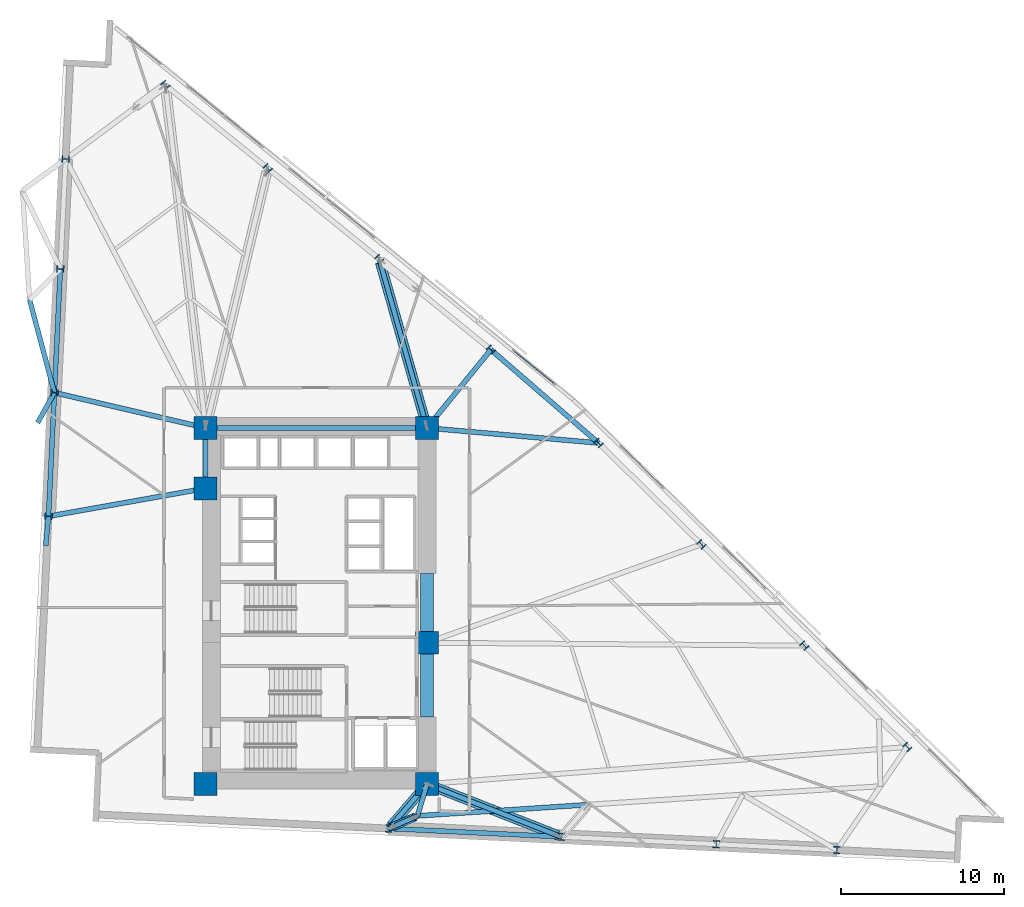
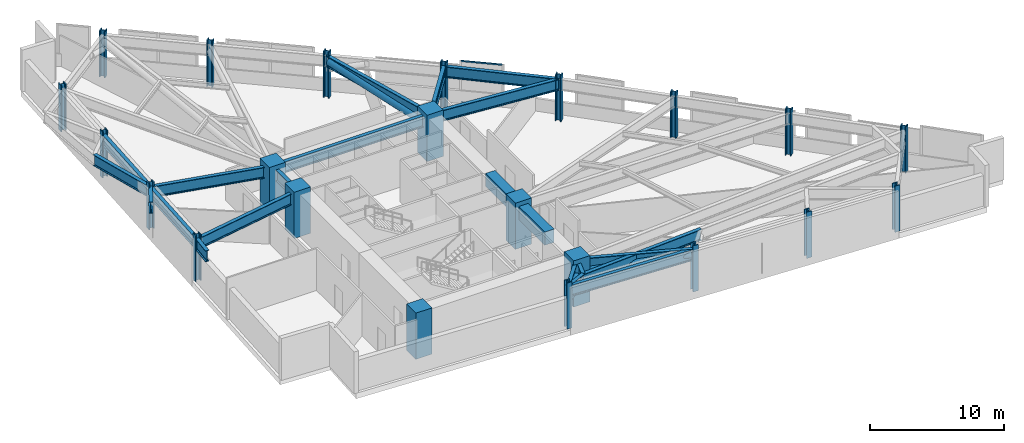
# One storey, part 1 of 18: 22 columns, 21 beams, 6 members, 1 element without a shape of its own.
"""IFC4 building model written with IfcOpenShell, lengths in metres."""

from ifc_helpers import new_model, si_unit, direction, frame, origin, origin_2d, place, context, subcontext, project, spatial, rectangle, hollow_rectangle, hollow_circle, i_section, extrude, material, material_profile, profile_set, type_object, element, aggregate, save


model = new_model("IFC4")

# Units and contexts
model_context = context("Model", 3, precision=1e-05, world=origin(), true_north=direction((0.0, 1.0)))
body_context = subcontext(model_context, "Body", "Model", "MODEL_VIEW")
ifc_project = project(units=[si_unit("LENGTHUNIT", "METRE"), si_unit("AREAUNIT", "SQUARE_METRE"), si_unit("VOLUMEUNIT", "CUBIC_METRE"), si_unit("PLANEANGLEUNIT", "RADIAN"), si_unit("MASSUNIT", "GRAM", prefix="KILO")], contexts=[model_context])

# Site, building, storey
site_placement = place(None, origin())
site = spatial("IfcSite", under=ifc_project, at=site_placement, CompositionType="ELEMENT")
building_placement = place(site_placement, origin())
building = spatial("IfcBuilding", under=site, at=building_placement, Name="Narakoshi Arena Tower", CompositionType="ELEMENT")
storey_placement = place(building_placement, frame((0.0, 0.0, 59.10009765625)))
storey = spatial("IfcBuildingStorey", under=building, at=storey_placement, Name="L15", CompositionType="ELEMENT", Elevation=59.10009765625)

# Columns
ifc_material_1 = material(Name="Concrete C60/75", Category="concrete")
ifc_material_profile_1 = material_profile(ifc_material_1, rectangle(XDim=1.39990234375, YDim=1.39990234375, at=origin_2d()), Name="RC1400x1400")
ifc_profile_set_1 = profile_set([ifc_material_profile_1], Name="Concrete C60/75")
column_type_1 = type_object("IfcColumnType", Name="COL-RC1400", PredefinedType="COLUMN", material=ifc_profile_set_1)
for number, where, z_axis, x_axis, name in (
    (1, (72.0, 34.699951171875, 0.0), (0.0, 0.0, 1.0), (1.0, 0.0, 0.0), "L15 Core Structural Column CC1"),
    (2, (85.550048828125, 34.699951171875, 0.0), (0.0, 0.0, 1.0), (1.0, 0.0, 0.0), "L15 Core Structural Column CC2"),
    (3, (85.550048828125, 43.35009765625, 0.0), (0.0, 0.0, 1.0), (1.0, 0.0, 0.0), "L15 Core Structural Column CC3"),
    (4, (72.0, 52.800048828125, 0.0), (0.0, 0.0, 1.0), (1.0, 0.0, 0.0), "L15 Core Structural Column CC4"),
    (5, (72.0, 56.5, 0.0), (0.0, 0.0, 1.0), (1.0, 0.0, 0.0), "L15 Core Structural Column CC5"),
    (6, (85.550048828125, 56.5, 0.0), (0.0, 0.0, 1.0), (1.0, 0.0, 0.0), "L15 Core Structural Column CC6"),
):
    element("IfcColumn", number, at=place(storey_placement, frame(where, z_axis=z_axis, x_axis=x_axis)), inside=storey, type_object=column_type_1, Name=name, PredefinedType="COLUMN", context=body_context, shape_type="SweptSolid", body=[
        extrude(rectangle(XDim=1.39990234375, YDim=1.39990234375, at=origin_2d()), origin(), (0.0, 0.0, 1.0), 4.199951171875),
    ])
ifc_material_2 = material(Name="Structural steel S460ML", Category="steel")
ifc_material_profile_2 = material_profile(ifc_material_2, i_section(OverallWidth=0.424072265625, OverallDepth=0.47412109375, WebThickness=0.047607421875, FlangeThickness=0.076904296875, FilletRadius=0.014892578125, at=origin_2d()), Name="HD400x634")
ifc_profile_set_2 = profile_set([ifc_material_profile_2], Name="Structural steel S460ML")
column_type_2 = type_object("IfcColumnType", Name="COL-STL634", PredefinedType="COLUMN", material=ifc_profile_set_2)
for number, where, z_axis, x_axis, name in (
    (7, (83.2119140625, 31.979248046875, 0.0), (0.0, 0.0, 1.0), (-0.998848386485, 0.047978128521, 0.0), "L15 Tower Perimeter Column TC01"),
    (8, (93.760009765625, 31.472412109375, 0.0), (0.0, 0.0, 1.0), (-0.998848386485, 0.047978128521, 0.0), "L15 Tower Perimeter Column TC02"),
    (9, (103.2529296875, 31.0166015625, 0.0), (0.0, 0.0, 1.0), (-0.998848386485, 0.047978128521, 0.0), "L15 Tower Perimeter Column TC03"),
    (10, (110.636474609375, 30.661865234375, 0.0), (0.0, 0.0, 1.0), (-0.998848386485, 0.047978128521, 0.0), "L15 Tower Perimeter Column TC04"),
    (11, (114.942138671875, 36.969970703125, 0.0), (0.0, 0.0, 1.0), (0.740218127487, 0.672366807435, 0.0), "L15 Tower Perimeter Column TC05"),
    (12, (108.643798828125, 43.171875, 0.0), (0.0, 0.0, 1.0), (0.740218127487, 0.672366807435, 0.0), "L15 Tower Perimeter Column TC06"),
    (13, (102.345458984375, 49.373779296875, 0.0), (0.0, 0.0, 1.0), (0.740218127487, 0.672366807435, 0.0), "L15 Tower Perimeter Column TC07"),
    (14, (96.047119140625, 55.57568359375, 0.0), (0.0, 0.0, 1.0), (0.740218127487, 0.672366807435, 0.0), "L15 Tower Perimeter Column TC08"),
    (15, (89.459716796875, 61.28515625, 0.0), (0.0, 0.0, 1.0), (0.740218127487, 0.672366807435, 0.0), "L15 Tower Perimeter Column TC09"),
    (16, (82.626953125, 66.838623046875, 0.0), (0.0, 0.0, 1.0), (0.740218127487, 0.672366807435, 0.0), "L15 Tower Perimeter Column TC10"),
    (17, (75.794189453125, 72.392333984375, 0.0), (0.0, 0.0, 1.0), (0.740218127487, 0.672366807435, 0.0), "L15 Tower Perimeter Column TC11"),
    (18, (69.531005859375, 77.483154296875, 0.0), (0.0, 0.0, 1.0), (0.740218127487, 0.672366807435, 0.0), "L15 Tower Perimeter Column TC12"),
    (19, (63.42822265625, 72.95654296875, 0.0), (0.0, 0.0, 1.0), (0.047978128521, 0.998848386485, 0.0), "L15 Tower Perimeter Column TC13"),
    (20, (63.10498046875, 66.228271484375, 0.0), (0.0, 0.0, 1.0), (0.047978128521, 0.998848386485, 0.0), "L15 Tower Perimeter Column TC14"),
    (21, (62.74169921875, 58.658935546875, 0.0), (0.0, 0.0, 1.0), (0.047978128521, 0.998848386485, 0.0), "L15 Tower Perimeter Column TC15"),
    (22, (62.3779296875, 51.08984375, 0.0), (0.0, 0.0, 1.0), (0.047978128521, 0.998848386485, 0.0), "L15 Tower Perimeter Column TC16"),
):
    element("IfcColumn", number, at=place(storey_placement, frame(where, z_axis=z_axis, x_axis=x_axis)), inside=storey, type_object=column_type_2, Name=name, PredefinedType="COLUMN", context=body_context, shape_type="SweptSolid", body=[
        extrude(i_section(OverallWidth=0.424072265625, OverallDepth=0.47412109375, WebThickness=0.047607421875, FlangeThickness=0.076904296875, FilletRadius=0.014892578125, at=origin_2d()), origin(), (0.0, 0.0, 1.0), 4.199951171875),
    ])

# Beams
ifc_material_profile_3 = material_profile(ifc_material_1, rectangle(XDim=0.800048828125, YDim=1.199951171875, at=origin_2d()), Name="RCB800x1200")
ifc_profile_set_3 = profile_set([ifc_material_profile_3], Name="Concrete C60/75")
beam_type_1 = type_object("IfcBeamType", Name="BM-CPL-1200", PredefinedType="LINTEL", material=ifc_profile_set_3)
beam_1_placement = place(storey_placement, frame((85.550048828125, 38.800048828125, 3.199951171875), z_axis=(0.0, 1.0, 0.0), x_axis=(-1.0, 0.0, 0.0)))
element("IfcBeam", 23, at=beam_1_placement, inside=storey, type_object=beam_type_1, Name="L15 Core Seismic Coupling Beam 1", PredefinedType="LINTEL", context=body_context, shape_type="SweptSolid", body=[
    extrude(rectangle(XDim=0.800048828125, YDim=1.199951171875, at=origin_2d()), origin(), (0.0, 0.0, 1.0), 4.550048828125),
])
beam_2_placement = place(storey_placement, frame((85.550048828125, 43.35009765625, 3.199951171875), z_axis=(0.0, 1.0, 0.0), x_axis=(-1.0, 0.0, 0.0)))
element("IfcBeam", 24, at=beam_2_placement, inside=storey, type_object=beam_type_1, Name="L15 Core Seismic Coupling Beam 2", PredefinedType="LINTEL", context=body_context, shape_type="SweptSolid", body=[
    extrude(rectangle(XDim=0.800048828125, YDim=1.199951171875, at=origin_2d()), origin(), (0.0, 0.0, 1.0), 4.25),
])
ifc_material_profile_4 = material_profile(ifc_material_2, i_section(OverallWidth=0.302001953125, OverallDepth=1.008056640625, WebThickness=0.02099609375, FlangeThickness=0.0400390625, FilletRadius=0.030029296875, at=origin_2d()), Name="HE1000M")
ifc_profile_set_4 = profile_set([ifc_material_profile_4], Name="Structural steel S460ML")
beam_type_2 = type_object("IfcBeamType", Name="BM-XFER-1000", PredefinedType="BEAM", material=ifc_profile_set_4)
beam_3_placement = place(storey_placement, frame((83.2119140625, 31.979248046875, 3.2958984375), z_axis=(0.998847594152, -0.047994621119, 0.0), x_axis=(0.047994621119, 0.998847594152, 0.0)))
element("IfcBeam", 25, at=beam_3_placement, inside=storey, type_object=beam_type_2, Name="L15 Perimeter Transfer Ring Girder 01", PredefinedType="BEAM", context=body_context, shape_type="SweptSolid", body=[
    extrude(i_section(OverallWidth=0.302001953125, OverallDepth=1.008056640625, WebThickness=0.02099609375, FlangeThickness=0.0400390625, FilletRadius=0.030029296875, at=origin_2d()), origin(), (0.0, 0.0, 1.0), 10.560302734375),
])
beam_4_placement = place(storey_placement, frame((96.047119140625, 55.57568359375, 3.2958984375), z_axis=(-0.755666904752, 0.654956127586, 0.0), x_axis=(-0.654956127586, -0.755666904752, 0.0)))
element("IfcBeam", 26, at=beam_4_placement, inside=storey, type_object=beam_type_2, Name="L15 Perimeter Transfer Ring Girder 08", PredefinedType="BEAM", context=body_context, shape_type="SweptSolid", body=[
    extrude(i_section(OverallWidth=0.302001953125, OverallDepth=1.008056640625, WebThickness=0.02099609375, FlangeThickness=0.0400390625, FilletRadius=0.030029296875, at=origin_2d()), origin(), (0.0, 0.0, 1.0), 8.71728515625),
])
beam_5_placement = place(storey_placement, frame((63.10498046875, 66.228271484375, 3.2958984375), z_axis=(-0.047938627957, -0.99885028305, 0.0), x_axis=(0.99885028305, -0.047938627957, 0.0)))
element("IfcBeam", 27, at=beam_5_placement, inside=storey, type_object=beam_type_2, Name="L15 Perimeter Transfer Ring Girder 14", PredefinedType="BEAM", context=body_context, shape_type="SweptSolid", body=[
    extrude(i_section(OverallWidth=0.302001953125, OverallDepth=1.008056640625, WebThickness=0.02099609375, FlangeThickness=0.0400390625, FilletRadius=0.030029296875, at=origin_2d()), origin(), (0.0, 0.0, 1.0), 7.578125),
])
beam_6_placement = place(storey_placement, frame((62.74169921875, 58.658935546875, 3.2958984375), z_axis=(-0.048004457986, -0.998847121442, 0.0), x_axis=(0.998847121442, -0.048004457986, 0.0)))
element("IfcBeam", 28, at=beam_6_placement, inside=storey, type_object=beam_type_2, Name="L15 Perimeter Transfer Ring Girder 15", PredefinedType="BEAM", context=body_context, shape_type="SweptSolid", body=[
    extrude(i_section(OverallWidth=0.302001953125, OverallDepth=1.008056640625, WebThickness=0.02099609375, FlangeThickness=0.0400390625, FilletRadius=0.030029296875, at=origin_2d()), origin(), (0.0, 0.0, 1.0), 7.577880859375),
])
beam_7_placement = place(storey_placement, frame((85.550048828125, 34.699951171875, 3.2958984375), z_axis=(-0.651771636497, -0.75841527797, 0.0), x_axis=(0.75841527797, -0.651771636497, 0.0)))
element("IfcBeam", 29, at=beam_7_placement, inside=storey, type_object=beam_type_2, Name="L15 Lower Transfer Radial Girder 01", PredefinedType="BEAM", context=body_context, shape_type="SweptSolid", body=[
    extrude(i_section(OverallWidth=0.302001953125, OverallDepth=1.008056640625, WebThickness=0.02099609375, FlangeThickness=0.0400390625, FilletRadius=0.030029296875, at=origin_2d()), origin(), (0.0, 0.0, 1.0), 3.58740234375),
])
beam_8_placement = place(storey_placement, frame((85.550048828125, 34.699951171875, 3.2958984375), z_axis=(0.930666699288, -0.365868138592, 0.0), x_axis=(0.365868138592, 0.930666699288, 0.0)))
element("IfcBeam", 30, at=beam_8_placement, inside=storey, type_object=beam_type_2, Name="L15 Lower Transfer Radial Girder 02", PredefinedType="BEAM", context=body_context, shape_type="SweptSolid", body=[
    extrude(i_section(OverallWidth=0.302001953125, OverallDepth=1.008056640625, WebThickness=0.02099609375, FlangeThickness=0.0400390625, FilletRadius=0.030029296875, at=origin_2d()), origin(), (0.0, 0.0, 1.0), 8.821533203125),
])
beam_9_placement = place(storey_placement, frame((85.550048828125, 56.5, 3.2958984375), z_axis=(0.996145584519, -0.087715303354, 0.0), x_axis=(0.087715303354, 0.996145584519, 0.0)))
element("IfcBeam", 31, at=beam_9_placement, inside=storey, type_object=beam_type_2, Name="L15 Lower Transfer Radial Girder 08", PredefinedType="BEAM", context=body_context, shape_type="SweptSolid", body=[
    extrude(i_section(OverallWidth=0.302001953125, OverallDepth=1.008056640625, WebThickness=0.02099609375, FlangeThickness=0.0400390625, FilletRadius=0.030029296875, at=origin_2d()), origin(), (0.0, 0.0, 1.0), 10.53759765625),
])
beam_10_placement = place(storey_placement, frame((85.550048828125, 56.5, 3.2958984375), z_axis=(0.632708368655, 0.774390160212, 0.0), x_axis=(-0.774390160212, 0.632708368655, 0.0)))
element("IfcBeam", 32, at=beam_10_placement, inside=storey, type_object=beam_type_2, Name="L15 Lower Transfer Radial Girder 09", PredefinedType="BEAM", context=body_context, shape_type="SweptSolid", body=[
    extrude(i_section(OverallWidth=0.302001953125, OverallDepth=1.008056640625, WebThickness=0.02099609375, FlangeThickness=0.0400390625, FilletRadius=0.030029296875, at=origin_2d()), origin(), (0.0, 0.0, 1.0), 6.17919921875),
])
beam_11_placement = place(storey_placement, frame((85.550048828125, 56.5, 3.2958984375), z_axis=(-0.272069994974, 0.962277464058, 0.0), x_axis=(-0.962277464058, -0.272069994974, 0.0)))
element("IfcBeam", 33, at=beam_11_placement, inside=storey, type_object=beam_type_2, Name="L15 Lower Transfer Radial Girder 10", PredefinedType="BEAM", context=body_context, shape_type="SweptSolid", body=[
    extrude(i_section(OverallWidth=0.302001953125, OverallDepth=1.008056640625, WebThickness=0.02099609375, FlangeThickness=0.0400390625, FilletRadius=0.030029296875, at=origin_2d()), origin(), (0.0, 0.0, 1.0), 10.743896484375),
])
beam_12_placement = place(storey_placement, frame((72.0, 56.5, 3.2958984375), z_axis=(-0.973872266719, 0.227096473145, 0.0), x_axis=(-0.227096473145, -0.973872266719, 0.0)))
element("IfcBeam", 34, at=beam_12_placement, inside=storey, type_object=beam_type_2, Name="L15 Lower Transfer Radial Girder 15", PredefinedType="BEAM", context=body_context, shape_type="SweptSolid", body=[
    extrude(i_section(OverallWidth=0.302001953125, OverallDepth=1.008056640625, WebThickness=0.02099609375, FlangeThickness=0.0400390625, FilletRadius=0.030029296875, at=origin_2d()), origin(), (0.0, 0.0, 1.0), 9.506591796875),
])
beam_13_placement = place(storey_placement, frame((72.0, 52.800048828125, 3.2958984375), z_axis=(-0.984569299514, -0.174995126944, 0.0), x_axis=(0.174995126944, -0.984569299514, 0.0)))
element("IfcBeam", 35, at=beam_13_placement, inside=storey, type_object=beam_type_2, Name="L15 Lower Transfer Radial Girder 16", PredefinedType="BEAM", context=body_context, shape_type="SweptSolid", body=[
    extrude(i_section(OverallWidth=0.302001953125, OverallDepth=1.008056640625, WebThickness=0.02099609375, FlangeThickness=0.0400390625, FilletRadius=0.030029296875, at=origin_2d()), origin(), (0.0, 0.0, 1.0), 9.77294921875),
])
beam_14_placement = place(storey_placement, frame((83.2119140625, 31.979248046875, 3.2958984375), z_axis=(0.914564462799, 0.404440160451, 0.0), x_axis=(-0.404440160451, 0.914564462799, 0.0)))
element("IfcBeam", 36, at=beam_14_placement, inside=storey, type_object=beam_type_2, Name="L15 Block-Turn Transfer Node Girder 01-1", PredefinedType="BEAM", context=body_context, shape_type="SweptSolid", body=[
    extrude(i_section(OverallWidth=0.302001953125, OverallDepth=1.008056640625, WebThickness=0.02099609375, FlangeThickness=0.0400390625, FilletRadius=0.030029296875, at=origin_2d()), origin(), (0.0, 0.0, 1.0), 1.908203125),
])
beam_15_placement = place(storey_placement, frame((85.550048828125, 34.699951171875, 3.2958984375), z_axis=(-0.291094852197, -0.956694197236, 0.0), x_axis=(0.956694197236, -0.291094852197, 0.0)))
element("IfcBeam", 37, at=beam_15_placement, inside=storey, type_object=beam_type_2, Name="L15 Block-Turn Transfer Node Girder 01-2", PredefinedType="BEAM", context=body_context, shape_type="SweptSolid", body=[
    extrude(i_section(OverallWidth=0.302001953125, OverallDepth=1.008056640625, WebThickness=0.02099609375, FlangeThickness=0.0400390625, FilletRadius=0.030029296875, at=origin_2d()), origin(), (0.0, 0.0, 1.0), 2.037109375),
])
beam_16_placement = place(storey_placement, frame((62.74169921875, 58.658935546875, 3.2958984375), z_axis=(-0.257990656259, 0.966147411777, 0.0), x_axis=(-0.966147411777, -0.257990656259, 0.0)))
element("IfcBeam", 38, at=beam_16_placement, inside=storey, type_object=beam_type_2, Name="L15 Block-Turn Transfer Node Girder 13-2", PredefinedType="BEAM", context=body_context, shape_type="SweptSolid", body=[
    extrude(i_section(OverallWidth=0.302001953125, OverallDepth=1.008056640625, WebThickness=0.02099609375, FlangeThickness=0.0400390625, FilletRadius=0.030029296875, at=origin_2d()), origin(), (0.0, 0.0, 1.0), 5.88330078125),
])
beam_17_placement = place(storey_placement, frame((62.74169921875, 58.658935546875, 3.2958984375), z_axis=(-0.486646551536, -0.873598954829, 0.0), x_axis=(0.873598954829, -0.486646551536, 0.0)))
element("IfcBeam", 39, at=beam_17_placement, inside=storey, type_object=beam_type_2, Name="L15 Block-Turn Transfer Node Girder 14-1", PredefinedType="BEAM", context=body_context, shape_type="SweptSolid", body=[
    extrude(i_section(OverallWidth=0.302001953125, OverallDepth=1.008056640625, WebThickness=0.02099609375, FlangeThickness=0.0400390625, FilletRadius=0.030029296875, at=origin_2d()), origin(), (0.0, 0.0, 1.0), 2.10595703125),
])
beam_18_placement = place(storey_placement, frame((62.3779296875, 51.08984375, 3.2958984375), z_axis=(-0.093038647467, -0.995662498077, 0.0), x_axis=(0.995662498077, -0.093038647467, 0.0)))
element("IfcBeam", 40, at=beam_18_placement, inside=storey, type_object=beam_type_2, Name="L15 Block-Turn Transfer Node Girder 15-1", PredefinedType="BEAM", context=body_context, shape_type="SweptSolid", body=[
    extrude(i_section(OverallWidth=0.302001953125, OverallDepth=1.008056640625, WebThickness=0.02099609375, FlangeThickness=0.0400390625, FilletRadius=0.030029296875, at=origin_2d()), origin(), (0.0, 0.0, 1.0), 1.802734375),
])
beam_19_placement = place(storey_placement, frame((84.95703125, 32.7509765625, 3.2958984375), z_axis=(0.997860180992, 0.065383936788, 0.0), x_axis=(-0.065383936788, 0.997860180992, 0.0)))
element("IfcBeam", 41, at=beam_19_placement, inside=storey, type_object=beam_type_2, Name="L15 Upper-Block Transfer Ring Girder 01", PredefinedType="BEAM", context=body_context, shape_type="SweptSolid", body=[
    extrude(i_section(OverallWidth=0.302001953125, OverallDepth=1.008056640625, WebThickness=0.02099609375, FlangeThickness=0.0400390625, FilletRadius=0.030029296875, at=origin_2d()), origin(), (0.0, 0.0, 1.0), 10.50732421875),
])
beam_20_placement = place(storey_placement, frame((72.0, 52.800048828125, 3.2958984375), z_axis=(0.0, 1.0, 0.0), x_axis=(-1.0, 0.0, 0.0)))
element("IfcBeam", 42, at=beam_20_placement, inside=storey, type_object=beam_type_2, Name="L15 Core Perimeter Frame Beam CC4-CC5", PredefinedType="BEAM", context=body_context, shape_type="SweptSolid", body=[
    extrude(i_section(OverallWidth=0.302001953125, OverallDepth=1.008056640625, WebThickness=0.02099609375, FlangeThickness=0.0400390625, FilletRadius=0.030029296875, at=origin_2d()), origin(), (0.0, 0.0, 1.0), 3.699951171875),
])
beam_21_placement = place(storey_placement, frame((72.0, 56.5, 3.2958984375), z_axis=(1.0, 0.0, 0.0), x_axis=(0.0, 1.0, 0.0)))
element("IfcBeam", 43, at=beam_21_placement, inside=storey, type_object=beam_type_2, Name="L15 Core Perimeter Frame Beam CC5-CC6", PredefinedType="BEAM", context=body_context, shape_type="SweptSolid", body=[
    extrude(i_section(OverallWidth=0.302001953125, OverallDepth=1.008056640625, WebThickness=0.02099609375, FlangeThickness=0.0400390625, FilletRadius=0.030029296875, at=origin_2d()), origin(), (0.0, 0.0, 1.0), 13.550048828125),
])

# Members
ifc_material_profile_5 = material_profile(ifc_material_2, hollow_circle(Radius=0.25390625, WallThickness=0.02001953125, at=origin_2d()), Name="CHS508x20")
ifc_profile_set_5 = profile_set([ifc_material_profile_5], Name="Structural steel S460ML")
member_type_1 = type_object("IfcMemberType", Name="MEM-BLT-508", PredefinedType="BRACE", material=ifc_profile_set_5)
member_1_placement = place(storey_placement, frame((83.376708984375, 32.052001953125, 2.5498046875), z_axis=(0.823887568403, 0.364277931606, 0.434178377141), x_axis=(-0.404381712165, 0.914590307661, 0.0)))
element("IfcMember", 44, at=member_1_placement, inside=storey, type_object=member_type_1, Name="L15 Perimeter Belt-Truss Diagonal 01", PredefinedType="BRACE", context=body_context, shape_type="SweptSolid", body=[
    extrude(hollow_circle(Radius=0.25390625, WallThickness=0.02001953125, at=origin_2d()), origin(), (0.0, 0.0, 1.0), 1.718505859375),
])
ifc_material_profile_6 = material_profile(ifc_material_2, hollow_circle(Radius=0.304931640625, WallThickness=0.02490234375, at=origin_2d()), Name="CHS610x25")
ifc_profile_set_6 = profile_set([ifc_material_profile_6], Name="Structural steel S460ML")
member_type_2 = type_object("IfcMemberType", Name="MEM-OUT-610", PredefinedType="BRACE", material=ifc_profile_set_6)
member_2_placement = place(storey_placement, frame((85.4521484375, 34.586181640625, 2.599853515625), z_axis=(-0.636966559953, -0.741322865246, 0.21145687732), x_axis=(0.758473988735, -0.651703313182, 0.0)))
element("IfcMember", 45, at=member_2_placement, inside=storey, type_object=member_type_2, Name="L15 Core-to-Perimeter Outrigger Truss Diagonal 01", PredefinedType="BRACE", context=body_context, shape_type="SweptSolid", body=[
    extrude(hollow_circle(Radius=0.304931640625, WallThickness=0.02490234375, at=origin_2d()), origin(), (0.0, 0.0, 1.0), 3.291748046875),
])
member_3_placement = place(storey_placement, frame((85.689697265625, 34.64501953125, 2.599853515625), z_axis=(0.927529306732, -0.364626087772, 0.082080456079), x_axis=(0.36586060887, 0.930669659373, 0.0)))
element("IfcMember", 46, at=member_3_placement, inside=storey, type_object=member_type_2, Name="L15 Core-to-Perimeter Outrigger Truss Diagonal 02", PredefinedType="BRACE", context=body_context, shape_type="SweptSolid", body=[
    extrude(hollow_circle(Radius=0.304931640625, WallThickness=0.02490234375, at=origin_2d()), origin(), (0.0, 0.0, 1.0), 8.47998046875),
])
member_4_placement = place(storey_placement, frame((85.50927734375, 56.644287109375, 2.599853515625), z_axis=(-0.271442874264, 0.960123502231, 0.066944951084), x_axis=(-0.96228221832, -0.272053179187, 0.0)))
element("IfcMember", 47, at=member_4_placement, inside=storey, type_object=member_type_2, Name="L15 Core-to-Perimeter Outrigger Truss Diagonal 03", PredefinedType="BRACE", context=body_context, shape_type="SweptSolid", body=[
    extrude(hollow_circle(Radius=0.304931640625, WallThickness=0.02490234375, at=origin_2d()), origin(), (0.0, 0.0, 1.0), 10.397216796875),
])

# Curtain wall, members
ifc_material_3 = material(Name="Anodised bronze aluminium 6063-T6", Category="aluminium")
curtain_wall_type = type_object("IfcCurtainWallType", Name="CW-HYP-LOW", PredefinedType="NOTDEFINED", material=ifc_material_3)
curtain_wall_placement = place(storey_placement, origin())
curtain_wall = element("IfcCurtainWall", 48, at=curtain_wall_placement, inside=storey, type_object=curtain_wall_type, Name="L15 Folded Hypotenuse Curtain Wall 2-1", PredefinedType="NOTDEFINED")
ifc_material_profile_7 = material_profile(ifc_material_3, hollow_rectangle(XDim=0.06494140625, YDim=0.1298828125, WallThickness=0.00390625, OuterFilletRadius=0.0048828125, at=origin_2d()), Name="TRN130x65x4")
ifc_profile_set_7 = profile_set([ifc_material_profile_7], Name="Anodised bronze aluminium 6063-T6")
member_type_3 = type_object("IfcMemberType", Name="MEM-TRN-130", PredefinedType="USERDEFINED", material=ifc_profile_set_7)
member_5_placement = place(storey_placement, frame((93.316162109375, 59.22021484375, 0.032470703125), z_axis=(-0.776004383513, 0.630727513883, 0.0), x_axis=(-0.630727513883, -0.776004383513, 0.0)))
member_5 = element("IfcMember", 49, at=member_5_placement, type_object=member_type_3, Name="CW-01 transom 1.1", ObjectType="TRANSOM", PredefinedType="USERDEFINED", context=body_context, shape_type="SweptSolid", body=[
    extrude(hollow_rectangle(XDim=0.06494140625, YDim=0.1298828125, WallThickness=0.00390625, OuterFilletRadius=0.0048828125, at=origin_2d()), origin(), (0.0, 0.0, 1.0), 3.13427734375),
])
member_6_placement = place(storey_placement, frame((93.316162109375, 59.22021484375, 3.767333984375), z_axis=(-0.776004383513, 0.630727513883, 0.0), x_axis=(-0.630727513883, -0.776004383513, 0.0)))
member_6 = element("IfcMember", 50, at=member_6_placement, type_object=member_type_3, Name="CW-01 transom 1.2", ObjectType="TRANSOM", PredefinedType="USERDEFINED", context=body_context, shape_type="SweptSolid", body=[
    extrude(hollow_rectangle(XDim=0.06494140625, YDim=0.1298828125, WallThickness=0.00390625, OuterFilletRadius=0.0048828125, at=origin_2d()), origin(), (0.0, 0.0, 1.0), 3.13427734375),
])
aggregate(curtain_wall, [member_5, member_6])

save(model, "model.ifc")
